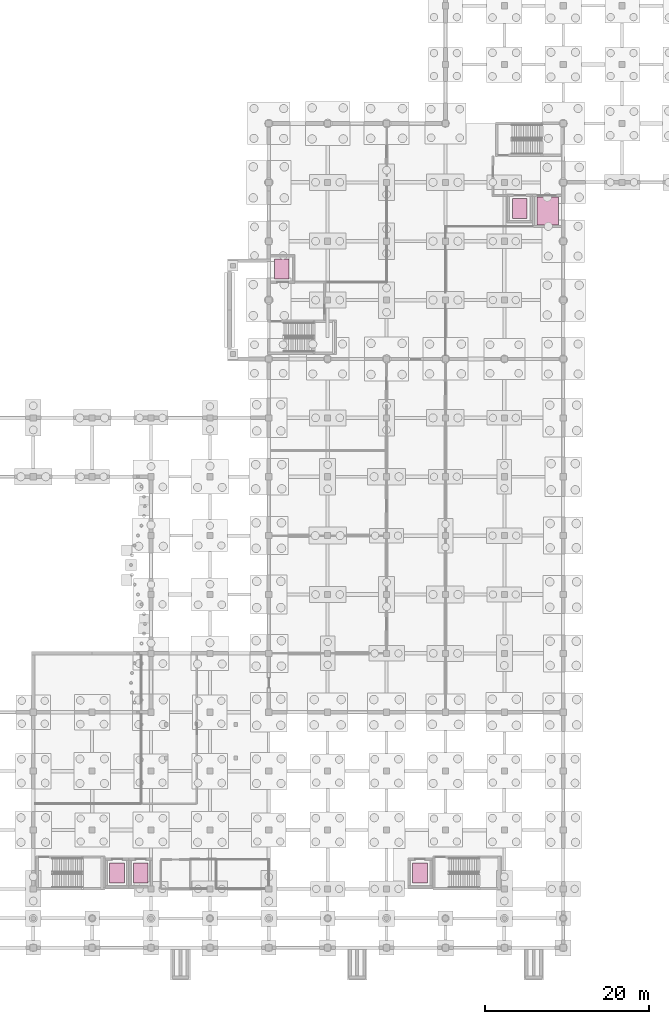
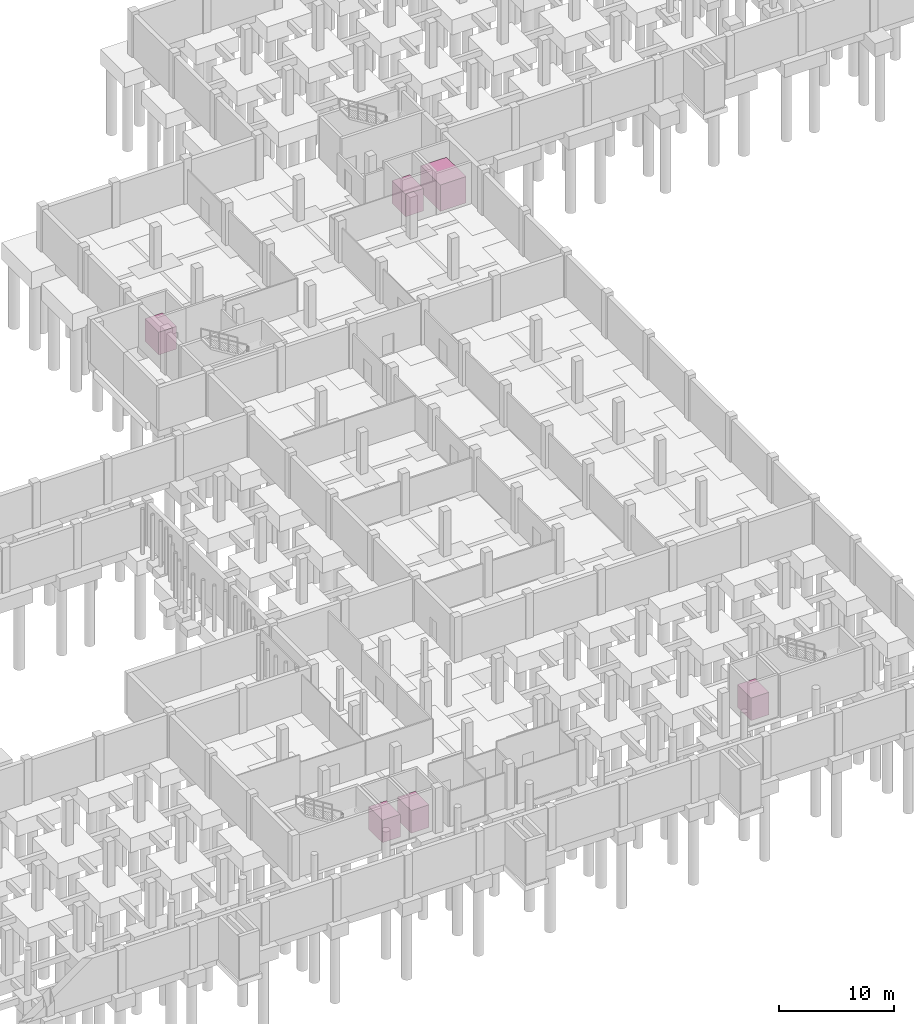
# One storey, part 35 of 35: 6 transport elements.
"""IFC4 building model written with IfcOpenShell, lengths in metres."""

from ifc_helpers import new_model, si_unit, direction, frame, origin, origin_2d, place, context, subcontext, project, spatial, rectangle, extrude, material, type_object, element, save


model = new_model("IFC4")

# Units and contexts
model_context = context("Model", 3, precision=1e-05, world=origin(), true_north=direction((0.0, 1.0)))
body_context = subcontext(model_context, "Body", "Model", "MODEL_VIEW")
ifc_project = project(units=[si_unit("LENGTHUNIT", "METRE"), si_unit("AREAUNIT", "SQUARE_METRE"), si_unit("VOLUMEUNIT", "CUBIC_METRE"), si_unit("PLANEANGLEUNIT", "RADIAN"), si_unit("MASSUNIT", "GRAM", prefix="KILO"), si_unit("THERMODYNAMICTEMPERATUREUNIT", "KELVIN"), si_unit("POWERUNIT", "WATT")], contexts=[model_context])

# Site, building, storey
site_placement = place(None, origin())
site = spatial("IfcSite", under=ifc_project, at=site_placement, CompositionType="ELEMENT")
building_placement = place(site_placement, origin())
building = spatial("IfcBuilding", under=site, at=building_placement, Name="Kaldorven Railside Theatre", CompositionType="ELEMENT")
storey_placement = place(building_placement, frame((0.0, 0.0, -4.800048828125)))
storey = spatial("IfcBuildingStorey", under=building, at=storey_placement, Name="B1", CompositionType="ELEMENT", Elevation=-4.800048828125)

# Transport elements
ifc_material = material(Name="Brushed stainless steel", Category="steel")
transport_element_type_1 = type_object("IfcTransportElementType", Name="LFT-FF-1800", PredefinedType="ELEVATOR", material=ifc_material)
for number, where, z_axis, x_axis, name in (
    (1, (88.800048828125, 95.0, 0.0), (0.0, 0.0, 1.0), (1.0, 0.0, 0.0), "Elevator Car LF-FF1"),
    (2, (117.89990234375, 102.39990234375, 0.0), (0.0, 0.0, 1.0), (1.0, 0.0, 0.0), "Elevator Car LF-FF2"),
):
    element("IfcTransportElement", number, at=place(storey_placement, frame(where, z_axis=z_axis, x_axis=x_axis)), inside=storey, type_object=transport_element_type_1, Name=name, PredefinedType="ELEVATOR", context=body_context, shape_type="SweptSolid", body=[
        extrude(rectangle(XDim=1.800048828125, YDim=2.39990234375, at=origin_2d()), origin(), (0.0, 0.0, 1.0), 2.39990234375),
    ])
transport_element_type_2 = type_object("IfcTransportElementType", Name="LFT-GDS-2600", PredefinedType="ELEVATOR", material=ifc_material)
transport_element_placement = place(storey_placement, frame((121.31494140625, 102.10009765625, 0.0), z_axis=(0.0, 0.0, 1.0), x_axis=(1.0, 0.0, 0.0)))
element("IfcTransportElement", 3, at=transport_element_placement, inside=storey, type_object=transport_element_type_2, Name="Elevator Car LF-G1", PredefinedType="ELEVATOR", context=body_context, shape_type="SweptSolid", body=[
    extrude(rectangle(XDim=2.60009765625, YDim=3.39990234375, at=origin_2d()), origin(), (0.0, 0.0, 1.0), 2.800048828125),
])
transport_element_type_3 = type_object("IfcTransportElementType", Name="LFT-PASS-1800", PredefinedType="ELEVATOR", material=ifc_material)
for number, where, z_axis, x_axis, name in (
    (4, (68.64990234375, 21.14990234375, 0.0), (0.0, 0.0, 1.0), (1.0, 0.0, 0.0), "Elevator Car LF-P1"),
    (5, (71.550048828125, 21.14990234375, 0.0), (0.0, 0.0, 1.0), (1.0, 0.0, 0.0), "Elevator Car LF-P2"),
    (6, (105.699951171875, 21.14990234375, 0.0), (0.0, 0.0, 1.0), (1.0, 0.0, 0.0), "Elevator Car LF-P3"),
):
    element("IfcTransportElement", number, at=place(storey_placement, frame(where, z_axis=z_axis, x_axis=x_axis)), inside=storey, type_object=transport_element_type_3, Name=name, PredefinedType="ELEVATOR", context=body_context, shape_type="SweptSolid", body=[
        extrude(rectangle(XDim=1.800048828125, YDim=2.39990234375, at=origin_2d()), origin(), (0.0, 0.0, 1.0), 2.39990234375),
    ])

save(model, "model.ifc")
